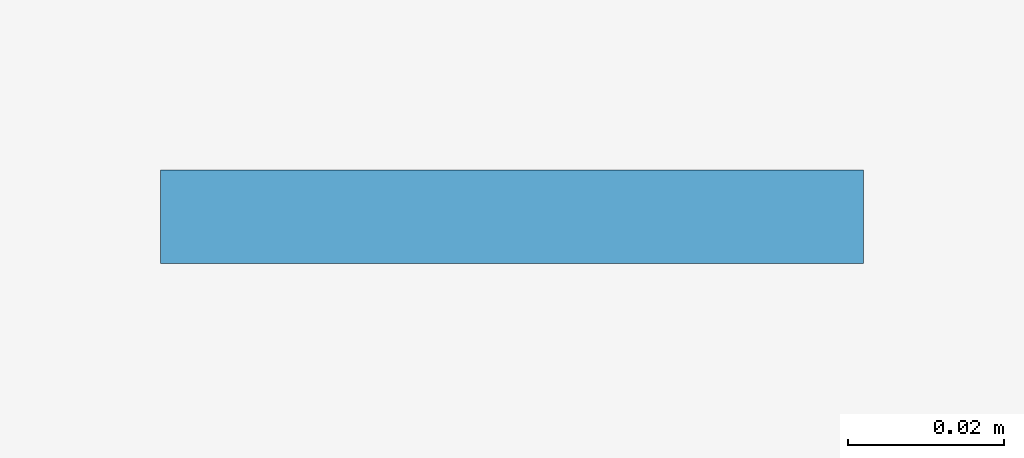
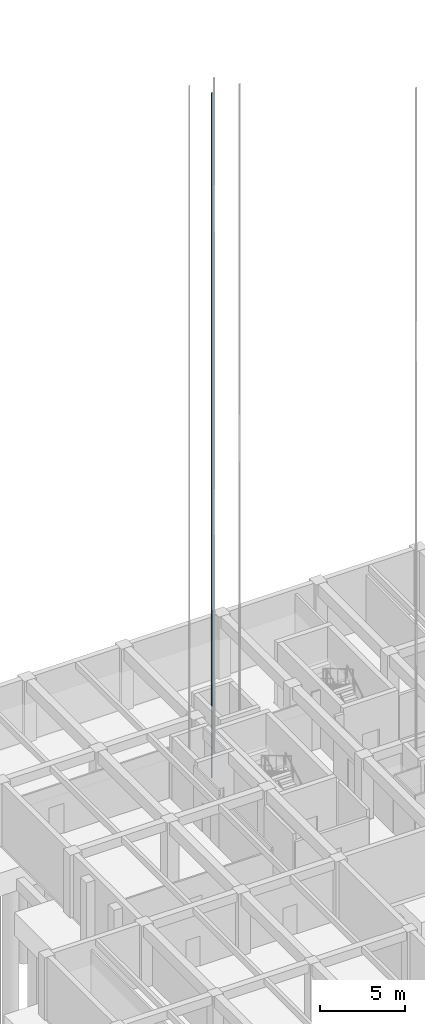
# One storey, part 27 of 44: 1 plate.
"""IFC4 building model written with IfcOpenShell, lengths in metres."""

import ifcopenshell
import ifcopenshell.guid

model = None  # the IFC model being written
_history = None  # IfcOwnerHistory: only IFC2X3 demands one
_inside = {}  # id of a spatial element -> (the spatial element, [elements in it])
_under = {}  # id of a project, library or spatial element -> (it, [spatial elements below it])
_declared = {}  # id of a project -> (the project, [libraries it declares])
_typed = {}  # id of a type object -> (the type object, [elements of that type])
_made_of = {}  # id of a material, layer set ... -> (it, [elements and type objects made of it])


def new_model(schema):
    """Start an empty IFC model of exactly this schema.

    Asked for "IFC4X3", IfcOpenShell would pick the latest addendum, in which some entities
    have other attributes; the version numbers below select the first issue.
    IFC2X3 requires an IfcOwnerHistory on every rooted entity: one is made here for all.
    """
    global model, _history
    if schema == "IFC4X3":
        model = ifcopenshell.file(schema_version=(4, 3, 0, 0))
    else:
        model = ifcopenshell.file(schema=schema)
    _inside.clear()
    _under.clear()
    _declared.clear()
    _typed.clear()
    _made_of.clear()
    _history = None
    if model.schema == "IFC2X3":
        org = make("IfcOrganization", Name="unknown")
        user = make(
            "IfcPersonAndOrganization",
            ThePerson=make("IfcPerson", FamilyName="unknown"),
            TheOrganization=org,
        )
        app = make(
            "IfcApplication",
            ApplicationDeveloper=org,
            Version="unknown",
            ApplicationFullName="unknown",
            ApplicationIdentifier="unknown",
        )
        _history = make(
            "IfcOwnerHistory",
            OwningUser=user,
            OwningApplication=app,
            ChangeAction="ADDED",
            CreationDate=0,
        )
    return model


def make(cls, **values):
    """One entity of the class cls with the attributes given. An attribute that is None is left unset."""
    return model.create_entity(
        cls, **{name: value for name, value in values.items() if value is not None}
    )


def rooted(cls, **values):
    """An entity with a GlobalId (a new one), such as an element, a storey or a relation."""
    return make(cls, GlobalId=ifcopenshell.guid.new(), OwnerHistory=_history, **values)


def si_unit(unit_type, name, prefix=None):
    """IfcSIUnit, for example si_unit("LENGTHUNIT", "METRE", prefix="MILLI")."""
    return make("IfcSIUnit", UnitType=unit_type, Prefix=prefix, Name=name)


def assignment(units):
    """IfcUnitAssignment: the units of a project."""
    return None if units is None else make("IfcUnitAssignment", Units=units)


def point(xyz):
    """IfcCartesianPoint."""
    return None if xyz is None else make("IfcCartesianPoint", Coordinates=xyz)


def direction(xyz):
    """IfcDirection."""
    return None if xyz is None else make("IfcDirection", DirectionRatios=xyz)


def frame(location, z_axis=None, x_axis=None):
    """IfcAxis2Placement3D, a coordinate frame: its origin and axes. An axis left out is left unset."""
    return make(
        "IfcAxis2Placement3D",
        Location=point(location),
        Axis=direction(z_axis),
        RefDirection=direction(x_axis),
    )


def frame_2d(location, x_axis=None):
    """IfcAxis2Placement2D, a coordinate frame in the plane: its origin and x axis."""
    return make(
        "IfcAxis2Placement2D", Location=point(location), RefDirection=direction(x_axis)
    )


def origin():
    """The frame at (0, 0, 0) with its axes left unset."""
    return frame((0.0, 0.0, 0.0))


def origin_2d():
    """The frame at (0, 0) in the plane with its x axis left unset."""
    return frame_2d((0.0, 0.0))


def place(relative_to, where):
    """IfcLocalPlacement: puts the frame where relative to a parent placement (None: the world)."""
    return make(
        "IfcLocalPlacement", PlacementRelTo=relative_to, RelativePlacement=where
    )


def context(
    kind, dimensions, precision=None, world=None, true_north=None, identifier=None
):
    """IfcGeometricRepresentationContext, for example the 3D "Model" context."""
    return make(
        "IfcGeometricRepresentationContext",
        ContextIdentifier=identifier,
        ContextType=kind,
        CoordinateSpaceDimension=dimensions,
        Precision=precision,
        WorldCoordinateSystem=world,
        TrueNorth=true_north,
    )


def subcontext(parent, identifier, kind, view, scale=None):
    """IfcGeometricRepresentationSubContext, for example "Body" below "Model"."""
    return make(
        "IfcGeometricRepresentationSubContext",
        ContextIdentifier=identifier,
        ContextType=kind,
        ParentContext=parent,
        TargetScale=scale,
        TargetView=view,
    )


def project(units=None, contexts=None):
    """IfcProject with its units and contexts."""
    return rooted(
        "IfcProject",
        Name="project",
        RepresentationContexts=contexts,
        UnitsInContext=assignment(units),
    )


def spatial(cls, under=None, at=None, **own):
    """A site, building, storey or space (cls), placed at a placement, below another one or the project."""
    s = rooted(cls, ObjectPlacement=at, **own)
    if under is not None:
        _under.setdefault(under.id(), (under, []))[1].append(s)
    return s


def profile(cls, at=None, kind="AREA", **sizes):
    """A parametric profile (cls). Its sizes go by their IFC names, for example OverallWidth=200.0."""
    return make(cls, ProfileType=kind, Position=at, **sizes)


def rectangle(**sizes):
    """IfcRectangleProfileDef."""
    return profile("IfcRectangleProfileDef", **sizes)


def extrude(swept, where, along, depth):
    """IfcExtrudedAreaSolid: the profile swept, set in the frame where, extruded along a direction by depth."""
    return make(
        "IfcExtrudedAreaSolid",
        SweptArea=swept,
        Position=where,
        ExtrudedDirection=direction(along),
        Depth=depth,
    )


def shape(context_of_items, identifier, shape_type, items):
    """IfcShapeRepresentation: the items that make up one representation, for example the "Body"."""
    return make(
        "IfcShapeRepresentation",
        ContextOfItems=context_of_items,
        RepresentationIdentifier=identifier,
        RepresentationType=shape_type,
        Items=items,
    )


def material(Name=None, Category=None):
    """IfcMaterial."""
    return make("IfcMaterial", Name=Name, Category=Category)


def layer(
    of_material, thickness, ventilated=None, Name=None, Category=None, Priority=None
):
    """IfcMaterialLayer: one layer of a wall or slab, of a material (None: an air gap)."""
    return make(
        "IfcMaterialLayer",
        Material=of_material,
        LayerThickness=thickness,
        IsVentilated=ventilated,
        Name=Name,
        Category=Category,
        Priority=Priority,
    )


def layer_set(layers, Name=None):
    """IfcMaterialLayerSet."""
    return make("IfcMaterialLayerSet", MaterialLayers=layers, LayerSetName=Name)


def made_of(thing, what):
    """Note that an element or type object is made of a material, layer set ...; save() writes the relation."""
    if what is not None:
        _made_of.setdefault(what.id(), (what, []))[1].append(thing)
    return thing


def type_object(cls, material=None, **own):
    """A type object (cls), such as IfcWallType, which elements share."""
    return made_of(rooted(cls, **own), material)


def element(
    cls,
    number,
    at=None,
    inside=None,
    cuts=None,
    type_object=None,
    material=None,
    context=None,
    identifier="Body",
    shape_type=None,
    held_by="IfcProductDefinitionShape",
    body=None,
    shapes=None,
    **own,
):
    """One element of the class cls, such as IfcWall. Its Tag is "e" and its number.

    at: its placement. inside: the storey or other place that contains it. cuts: it is an
    opening in that element (IfcRelVoidsElement). A single representation is given by context,
    identifier, shape_type and body (its items); several are given by shapes. held_by: the class
    of the entity that holds the representations. save() writes the other relations.
    """
    e = rooted(cls, Tag="e%d" % number, ObjectPlacement=at, **own)
    if body is not None:
        shapes = [shape(context, identifier, shape_type, body)]
    if shapes is not None:
        e.Representation = make(held_by, Representations=shapes)
    if inside is not None:
        _inside.setdefault(inside.id(), (inside, []))[1].append(e)
    if cuts is not None:
        rooted(
            "IfcRelVoidsElement", RelatingBuildingElement=cuts, RelatedOpeningElement=e
        )
    if type_object is not None:
        _typed.setdefault(type_object.id(), (type_object, []))[1].append(e)
    return made_of(e, material)


def aggregate(whole, parts):
    """IfcRelAggregates: a whole, such as a stair, and the parts it consists of."""
    return rooted("IfcRelAggregates", RelatingObject=whole, RelatedObjects=parts)


def save(model, path):
    """Write the relations noted so far, then the file.

    IfcRelAggregates (storeys below a building ...), IfcRelContainedInSpatialStructure (elements
    in a storey), IfcRelDefinesByType, IfcRelAssociatesMaterial and IfcRelDeclares: one each for
    every whole, place, type object, material and project.
    """
    for whole, parts in _under.values():
        aggregate(whole, parts)
    for where, things in _inside.values():
        rooted(
            "IfcRelContainedInSpatialStructure",
            RelatedElements=things,
            RelatingStructure=where,
        )
    for kind, things in _typed.values():
        rooted("IfcRelDefinesByType", RelatedObjects=things, RelatingType=kind)
    for what, things in _made_of.values():
        rooted("IfcRelAssociatesMaterial", RelatedObjects=things, RelatingMaterial=what)
    for by, libraries in _declared.values():
        rooted("IfcRelDeclares", RelatingContext=by, RelatedDefinitions=libraries)
    model.write(path)


model = new_model("IFC4")

# Units and contexts
model_context = context("Model", 3, precision=1e-05, world=origin(), true_north=direction((0.0, 1.0)))
body_context = subcontext(model_context, "Body", "Model", "MODEL_VIEW")
ifc_project = project(units=[si_unit("LENGTHUNIT", "METRE"), si_unit("AREAUNIT", "SQUARE_METRE"), si_unit("VOLUMEUNIT", "CUBIC_METRE"), si_unit("PLANEANGLEUNIT", "RADIAN"), si_unit("MASSUNIT", "GRAM", prefix="KILO")], contexts=[model_context])

# Site, building, storey
site_placement = place(None, origin())
site = spatial("IfcSite", under=ifc_project, at=site_placement, CompositionType="ELEMENT")
building_placement = place(site_placement, origin())
building = spatial("IfcBuilding", under=site, at=building_placement, Name="Kolvaren Faculty of Natural Sciences", CompositionType="ELEMENT")
storey_placement = place(building_placement, frame((0.0, 0.0, -4.5)))
storey = spatial("IfcBuildingStorey", under=building, at=storey_placement, Name="B01", CompositionType="ELEMENT", Elevation=-4.5)

# Plate
ifc_material = material(Name="Structural steel EN 10025-2 S355J2", Category="steel")
ifc_layer = layer(ifc_material, 0.011962890625)
ifc_layer_set = layer_set([ifc_layer], Name="Structural steel EN 10025-2 S355J2")
plate_type = type_object("IfcPlateType", Name="LiftGuideRail_T89", PredefinedType="USERDEFINED", material=ifc_layer_set)
plate_placement = place(storey_placement, frame((153.409912109375, 76.300048828125, -0.81982421875), z_axis=(0.0, 0.0, 1.0), x_axis=(1.0, 0.0, 0.0)))
element("IfcPlate", 1, at=plate_placement, inside=storey, type_object=plate_type, Name="Lift GL-2 steel guide rail 1", ObjectType="GUIDE RAIL", PredefinedType="USERDEFINED", context=body_context, shape_type="SweptSolid", body=[
    extrude(rectangle(XDim=0.090087890625, YDim=0.011962890625, at=origin_2d()), origin(), (0.0, 0.0, 1.0), 49.219970703125),
])

save(model, "model.ifc")
